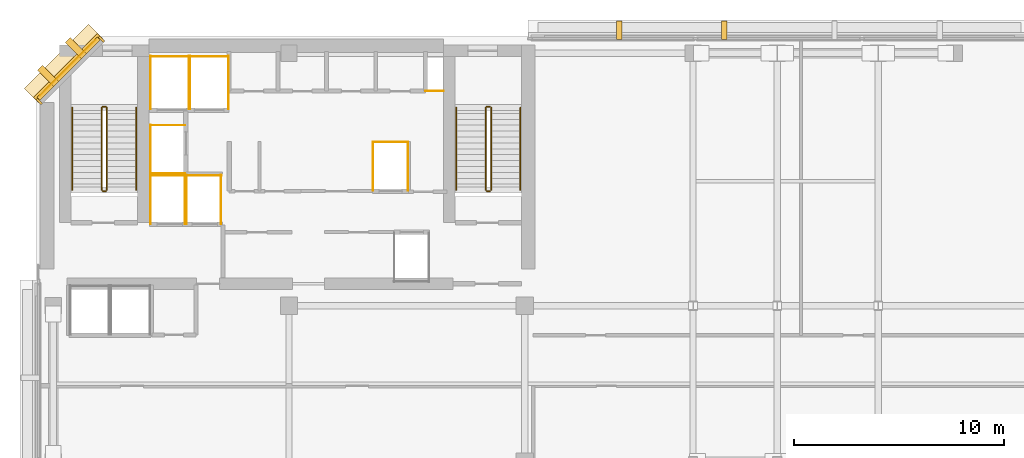
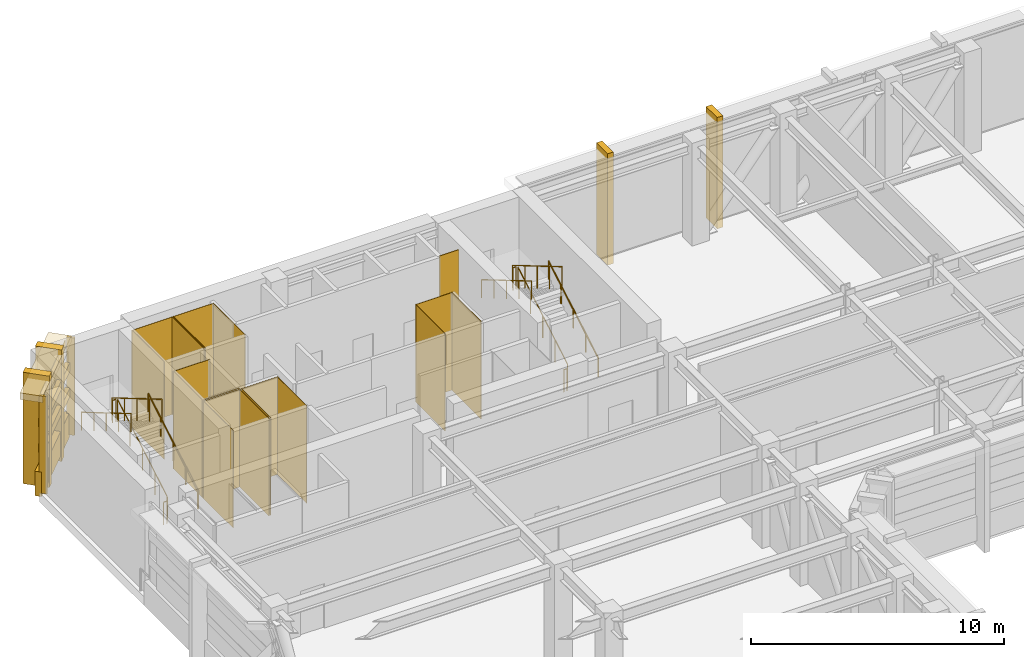
# One storey, part 10 of 11: 30 coverings, 12 railings.
"""IFC4 building model written with IfcOpenShell, lengths in metres."""

import ifcopenshell
import ifcopenshell.guid

model = None  # the IFC model being written
_history = None  # IfcOwnerHistory: only IFC2X3 demands one
_inside = {}  # id of a spatial element -> (the spatial element, [elements in it])
_under = {}  # id of a project, library or spatial element -> (it, [spatial elements below it])
_declared = {}  # id of a project -> (the project, [libraries it declares])
_typed = {}  # id of a type object -> (the type object, [elements of that type])
_made_of = {}  # id of a material, layer set ... -> (it, [elements and type objects made of it])


def new_model(schema):
    """Start an empty IFC model of exactly this schema.

    Asked for "IFC4X3", IfcOpenShell would pick the latest addendum, in which some entities
    have other attributes; the version numbers below select the first issue.
    IFC2X3 requires an IfcOwnerHistory on every rooted entity: one is made here for all.
    """
    global model, _history
    if schema == "IFC4X3":
        model = ifcopenshell.file(schema_version=(4, 3, 0, 0))
    else:
        model = ifcopenshell.file(schema=schema)
    _inside.clear()
    _under.clear()
    _declared.clear()
    _typed.clear()
    _made_of.clear()
    _history = None
    if model.schema == "IFC2X3":
        org = make("IfcOrganization", Name="unknown")
        user = make(
            "IfcPersonAndOrganization",
            ThePerson=make("IfcPerson", FamilyName="unknown"),
            TheOrganization=org,
        )
        app = make(
            "IfcApplication",
            ApplicationDeveloper=org,
            Version="unknown",
            ApplicationFullName="unknown",
            ApplicationIdentifier="unknown",
        )
        _history = make(
            "IfcOwnerHistory",
            OwningUser=user,
            OwningApplication=app,
            ChangeAction="ADDED",
            CreationDate=0,
        )
    return model


def make(cls, **values):
    """One entity of the class cls with the attributes given. An attribute that is None is left unset."""
    return model.create_entity(
        cls, **{name: value for name, value in values.items() if value is not None}
    )


def rooted(cls, **values):
    """An entity with a GlobalId (a new one), such as an element, a storey or a relation."""
    return make(cls, GlobalId=ifcopenshell.guid.new(), OwnerHistory=_history, **values)


def si_unit(unit_type, name, prefix=None):
    """IfcSIUnit, for example si_unit("LENGTHUNIT", "METRE", prefix="MILLI")."""
    return make("IfcSIUnit", UnitType=unit_type, Prefix=prefix, Name=name)


def assignment(units):
    """IfcUnitAssignment: the units of a project."""
    return None if units is None else make("IfcUnitAssignment", Units=units)


def point(xyz):
    """IfcCartesianPoint."""
    return None if xyz is None else make("IfcCartesianPoint", Coordinates=xyz)


def direction(xyz):
    """IfcDirection."""
    return None if xyz is None else make("IfcDirection", DirectionRatios=xyz)


def frame(location, z_axis=None, x_axis=None):
    """IfcAxis2Placement3D, a coordinate frame: its origin and axes. An axis left out is left unset."""
    return make(
        "IfcAxis2Placement3D",
        Location=point(location),
        Axis=direction(z_axis),
        RefDirection=direction(x_axis),
    )


def frame_2d(location, x_axis=None):
    """IfcAxis2Placement2D, a coordinate frame in the plane: its origin and x axis."""
    return make(
        "IfcAxis2Placement2D", Location=point(location), RefDirection=direction(x_axis)
    )


def origin():
    """The frame at (0, 0, 0) with its axes left unset."""
    return frame((0.0, 0.0, 0.0))


def origin_2d():
    """The frame at (0, 0) in the plane with its x axis left unset."""
    return frame_2d((0.0, 0.0))


def place(relative_to, where):
    """IfcLocalPlacement: puts the frame where relative to a parent placement (None: the world)."""
    return make(
        "IfcLocalPlacement", PlacementRelTo=relative_to, RelativePlacement=where
    )


def context(
    kind, dimensions, precision=None, world=None, true_north=None, identifier=None
):
    """IfcGeometricRepresentationContext, for example the 3D "Model" context."""
    return make(
        "IfcGeometricRepresentationContext",
        ContextIdentifier=identifier,
        ContextType=kind,
        CoordinateSpaceDimension=dimensions,
        Precision=precision,
        WorldCoordinateSystem=world,
        TrueNorth=true_north,
    )


def subcontext(parent, identifier, kind, view, scale=None):
    """IfcGeometricRepresentationSubContext, for example "Body" below "Model"."""
    return make(
        "IfcGeometricRepresentationSubContext",
        ContextIdentifier=identifier,
        ContextType=kind,
        ParentContext=parent,
        TargetScale=scale,
        TargetView=view,
    )


def project(units=None, contexts=None):
    """IfcProject with its units and contexts."""
    return rooted(
        "IfcProject",
        Name="project",
        RepresentationContexts=contexts,
        UnitsInContext=assignment(units),
    )


def spatial(cls, under=None, at=None, **own):
    """A site, building, storey or space (cls), placed at a placement, below another one or the project."""
    s = rooted(cls, ObjectPlacement=at, **own)
    if under is not None:
        _under.setdefault(under.id(), (under, []))[1].append(s)
    return s


def polyline(points):
    """IfcPolyline through the points."""
    return make("IfcPolyline", Points=[point(p) for p in points])


def profile(cls, at=None, kind="AREA", **sizes):
    """A parametric profile (cls). Its sizes go by their IFC names, for example OverallWidth=200.0."""
    return make(cls, ProfileType=kind, Position=at, **sizes)


def rectangle(**sizes):
    """IfcRectangleProfileDef."""
    return profile("IfcRectangleProfileDef", **sizes)


def circle(**sizes):
    """IfcCircleProfileDef."""
    return profile("IfcCircleProfileDef", **sizes)


def outline(outer, holes=None, kind="AREA"):
    """IfcArbitraryClosedProfileDef: a profile drawn as a closed curve; with holes, ...WithVoids."""
    if holes is None:
        return make("IfcArbitraryClosedProfileDef", ProfileType=kind, OuterCurve=outer)
    return make(
        "IfcArbitraryProfileDefWithVoids",
        ProfileType=kind,
        OuterCurve=outer,
        InnerCurves=holes,
    )


def extrude(swept, where, along, depth):
    """IfcExtrudedAreaSolid: the profile swept, set in the frame where, extruded along a direction by depth."""
    return make(
        "IfcExtrudedAreaSolid",
        SweptArea=swept,
        Position=where,
        ExtrudedDirection=direction(along),
        Depth=depth,
    )


def shape(context_of_items, identifier, shape_type, items):
    """IfcShapeRepresentation: the items that make up one representation, for example the "Body"."""
    return make(
        "IfcShapeRepresentation",
        ContextOfItems=context_of_items,
        RepresentationIdentifier=identifier,
        RepresentationType=shape_type,
        Items=items,
    )


def material(Name=None, Category=None):
    """IfcMaterial."""
    return make("IfcMaterial", Name=Name, Category=Category)


def layer(
    of_material, thickness, ventilated=None, Name=None, Category=None, Priority=None
):
    """IfcMaterialLayer: one layer of a wall or slab, of a material (None: an air gap)."""
    return make(
        "IfcMaterialLayer",
        Material=of_material,
        LayerThickness=thickness,
        IsVentilated=ventilated,
        Name=Name,
        Category=Category,
        Priority=Priority,
    )


def layer_set(layers, Name=None):
    """IfcMaterialLayerSet."""
    return make("IfcMaterialLayerSet", MaterialLayers=layers, LayerSetName=Name)


def made_of(thing, what):
    """Note that an element or type object is made of a material, layer set ...; save() writes the relation."""
    if what is not None:
        _made_of.setdefault(what.id(), (what, []))[1].append(thing)
    return thing


def type_object(cls, material=None, **own):
    """A type object (cls), such as IfcWallType, which elements share."""
    return made_of(rooted(cls, **own), material)


def element(
    cls,
    number,
    at=None,
    inside=None,
    cuts=None,
    type_object=None,
    material=None,
    context=None,
    identifier="Body",
    shape_type=None,
    held_by="IfcProductDefinitionShape",
    body=None,
    shapes=None,
    **own,
):
    """One element of the class cls, such as IfcWall. Its Tag is "e" and its number.

    at: its placement. inside: the storey or other place that contains it. cuts: it is an
    opening in that element (IfcRelVoidsElement). A single representation is given by context,
    identifier, shape_type and body (its items); several are given by shapes. held_by: the class
    of the entity that holds the representations. save() writes the other relations.
    """
    e = rooted(cls, Tag="e%d" % number, ObjectPlacement=at, **own)
    if body is not None:
        shapes = [shape(context, identifier, shape_type, body)]
    if shapes is not None:
        e.Representation = make(held_by, Representations=shapes)
    if inside is not None:
        _inside.setdefault(inside.id(), (inside, []))[1].append(e)
    if cuts is not None:
        rooted(
            "IfcRelVoidsElement", RelatingBuildingElement=cuts, RelatedOpeningElement=e
        )
    if type_object is not None:
        _typed.setdefault(type_object.id(), (type_object, []))[1].append(e)
    return made_of(e, material)


def aggregate(whole, parts):
    """IfcRelAggregates: a whole, such as a stair, and the parts it consists of."""
    return rooted("IfcRelAggregates", RelatingObject=whole, RelatedObjects=parts)


def save(model, path):
    """Write the relations noted so far, then the file.

    IfcRelAggregates (storeys below a building ...), IfcRelContainedInSpatialStructure (elements
    in a storey), IfcRelDefinesByType, IfcRelAssociatesMaterial and IfcRelDeclares: one each for
    every whole, place, type object, material and project.
    """
    for whole, parts in _under.values():
        aggregate(whole, parts)
    for where, things in _inside.values():
        rooted(
            "IfcRelContainedInSpatialStructure",
            RelatedElements=things,
            RelatingStructure=where,
        )
    for kind, things in _typed.values():
        rooted("IfcRelDefinesByType", RelatedObjects=things, RelatingType=kind)
    for what, things in _made_of.values():
        rooted("IfcRelAssociatesMaterial", RelatedObjects=things, RelatingMaterial=what)
    for by, libraries in _declared.values():
        rooted("IfcRelDeclares", RelatingContext=by, RelatedDefinitions=libraries)
    model.write(path)


model = new_model("IFC4")

# Units and contexts
model_context = context("Model", 3, precision=1e-05, world=origin(), true_north=direction((0.0, 1.0)))
body_context = subcontext(model_context, "Body", "Model", "MODEL_VIEW")
ifc_project = project(units=[si_unit("LENGTHUNIT", "METRE"), si_unit("AREAUNIT", "SQUARE_METRE"), si_unit("VOLUMEUNIT", "CUBIC_METRE"), si_unit("PLANEANGLEUNIT", "RADIAN"), si_unit("MASSUNIT", "GRAM", prefix="KILO")], contexts=[model_context])

# Site, building, storey
site_placement = place(None, origin())
site = spatial("IfcSite", under=ifc_project, at=site_placement, CompositionType="ELEMENT")
building_placement = place(site_placement, origin())
building = spatial("IfcBuilding", under=site, at=building_placement, Name="Kefirva Bronze Tower", CompositionType="ELEMENT")
storey_placement = place(building_placement, frame((0.0, 0.0, 251.4599609375)))
storey = spatial("IfcBuildingStorey", under=building, at=storey_placement, Name="L61", CompositionType="ELEMENT", Elevation=251.4599609375)

# Coverings
ifc_material_1 = material(Name="Bronze anodised aluminium", Category="aluminium")
ifc_layer_1 = layer(ifc_material_1, 0.02001953125, Name="Bronze anodised aluminium")
ifc_layer_set_1 = layer_set([ifc_layer_1], Name="Bronze anodised aluminium")
covering_type_1 = type_object("IfcCoveringType", Name="Anodised Bronze Spandrel Cladding 20mm", PredefinedType="CLADDING", material=ifc_layer_set_1)
covering_1_placement = place(storey_placement, frame((1.492919921875, 44.507080078125, 4.280029296875), z_axis=(0.0, 0.0, 1.0), x_axis=(-0.707106781187, -0.707106781187, 0.0)))
element("IfcCovering", 1, at=covering_1_placement, inside=storey, type_object=covering_type_1, Name="L61 Bronze Spandrel Cladding 6", PredefinedType="CLADDING", context=body_context, shape_type="SweptSolid", body=[
    extrude(rectangle(XDim=3.719482421875, YDim=0.02001953125, at=origin_2d()), origin(), (0.0, 0.0, 1.0), 0.39990234375),
])
for number, where, z_axis, x_axis, name in (
    (2, (3.08837890625, 45.862060546875, 0.0), (0.0, 0.0, 1.0), (-0.707106781187, -0.707106781187, 0.0), "L61 Facade Joint Closure Panel 6S"),
    (3, (0.137939453125, 42.91162109375, 0.0), (0.0, 0.0, 1.0), (-0.707106781187, -0.707106781187, 0.0), "L61 Facade Joint Closure Panel 6E"),
):
    element("IfcCovering", number, at=place(storey_placement, frame(where, z_axis=z_axis, x_axis=x_axis)), inside=storey, type_object=covering_type_1, Name=name, PredefinedType="CLADDING", context=body_context, shape_type="SweptSolid", body=[
        extrude(rectangle(XDim=0.10009765625, YDim=0.320068359375, at=origin_2d()), origin(), (0.0, 0.0, 1.0), 4.699951171875),
    ])
covering_2_placement = place(storey_placement, frame((1.4716796875, 44.5283203125, -0.16015625), z_axis=(0.0, 0.0, 1.0), x_axis=(-0.707106781187, -0.707106781187, 0.0)))
element("IfcCovering", 4, at=covering_2_placement, inside=storey, type_object=covering_type_1, Name="L61 Streamline Horizontal Spandrel Band 9", PredefinedType="CLADDING", context=body_context, shape_type="SweptSolid", body=[
    extrude(rectangle(XDim=4.28271484375, YDim=0.280029296875, at=origin_2d()), origin(), (0.0, 0.0, 1.0), 1.179931640625),
])
for number, where, z_axis, x_axis, name in (
    (5, (1.5283203125, 44.4716796875, 1.858154296875), (0.0, 0.0, 1.0), (-0.707106781187, -0.707106781187, 0.0), "L61 Recessed Zone-Break Bronze Louvre Band 9-1"),
    (6, (1.5283203125, 44.4716796875, 3.080078125), (0.0, 0.0, 1.0), (-0.707106781187, -0.707106781187, 0.0), "L61 Recessed Zone-Break Bronze Louvre Band 9-2"),
):
    element("IfcCovering", number, at=place(storey_placement, frame(where, z_axis=z_axis, x_axis=x_axis)), inside=storey, type_object=covering_type_1, Name=name, PredefinedType="CLADDING", context=body_context, shape_type="SweptSolid", body=[
        extrude(rectangle(XDim=4.04248046875, YDim=0.199951171875, at=origin_2d()), origin(), (0.0, 0.0, 1.0), 0.419921875),
    ])
covering_3_placement = place(storey_placement, origin())
element("IfcCovering", 7, at=covering_3_placement, inside=storey, type_object=covering_type_1, Name="L61 Lift FF1 Hoistway Liner N", PredefinedType="CLADDING", context=body_context, shape_type="SweptSolid", body=[
    extrude(outline(polyline([(5.39990234375, 39.389892578125), (7.080078125, 39.389892578125), (7.080078125, 39.409912109375), (5.39990234375, 39.409912109375), (5.39990234375, 39.389892578125)])), origin(), (0.0, 0.0, 1.0), 4.699951171875),
])
covering_4_placement = place(storey_placement, origin())
element("IfcCovering", 8, at=covering_4_placement, inside=storey, type_object=covering_type_1, Name="L61 Lift FF1 Hoistway Liner W", PredefinedType="CLADDING", context=body_context, shape_type="SweptSolid", body=[
    extrude(outline(polyline([(5.409912109375, 37.080078125), (5.429931640625, 37.080078125), (5.429931640625, 39.419921875), (5.409912109375, 39.419921875), (5.409912109375, 37.080078125)])), origin(), (0.0, 0.0, 1.0), 4.699951171875),
])
covering_5_placement = place(storey_placement, origin())
element("IfcCovering", 9, at=covering_5_placement, inside=storey, type_object=covering_type_1, Name="L61 Lift FF1 Hoistway Liner E", PredefinedType="CLADDING", context=body_context, shape_type="SweptSolid", body=[
    extrude(outline(polyline([(7.050048828125, 37.080078125), (7.070068359375, 37.080078125), (7.070068359375, 39.419921875), (7.050048828125, 39.419921875), (7.050048828125, 37.080078125)])), origin(), (0.0, 0.0, 1.0), 4.699951171875),
])
covering_6_placement = place(storey_placement, origin())
element("IfcCovering", 10, at=covering_6_placement, inside=storey, type_object=covering_type_1, Name="L61 Lift FF2 Hoistway Liner N", PredefinedType="CLADDING", context=body_context, shape_type="SweptSolid", body=[
    extrude(outline(polyline([(7.1201171875, 39.389892578125), (8.800048828125, 39.389892578125), (8.800048828125, 39.409912109375), (7.1201171875, 39.409912109375), (7.1201171875, 39.389892578125)])), origin(), (0.0, 0.0, 1.0), 4.699951171875),
])
covering_7_placement = place(storey_placement, origin())
element("IfcCovering", 11, at=covering_7_placement, inside=storey, type_object=covering_type_1, Name="L61 Lift FF2 Hoistway Liner W", PredefinedType="CLADDING", context=body_context, shape_type="SweptSolid", body=[
    extrude(outline(polyline([(7.1298828125, 37.080078125), (7.14990234375, 37.080078125), (7.14990234375, 39.419921875), (7.1298828125, 39.419921875), (7.1298828125, 37.080078125)])), origin(), (0.0, 0.0, 1.0), 4.699951171875),
])
covering_8_placement = place(storey_placement, origin())
element("IfcCovering", 12, at=covering_8_placement, inside=storey, type_object=covering_type_1, Name="L61 Lift FF2 Hoistway Liner E", PredefinedType="CLADDING", context=body_context, shape_type="SweptSolid", body=[
    extrude(outline(polyline([(8.77001953125, 37.080078125), (8.7900390625, 37.080078125), (8.7900390625, 39.419921875), (8.77001953125, 39.419921875), (8.77001953125, 37.080078125)])), origin(), (0.0, 0.0, 1.0), 4.699951171875),
])
covering_9_placement = place(storey_placement, origin())
element("IfcCovering", 13, at=covering_9_placement, inside=storey, type_object=covering_type_1, Name="L61 Lift SV1 Hoistway Liner N", PredefinedType="CLADDING", context=body_context, shape_type="SweptSolid", body=[
    extrude(outline(polyline([(5.39990234375, 45.0400390625), (7.260009765625, 45.0400390625), (7.260009765625, 45.06005859375), (5.39990234375, 45.06005859375), (5.39990234375, 45.0400390625)])), origin(), (0.0, 0.0, 1.0), 4.699951171875),
])
covering_10_placement = place(storey_placement, origin())
element("IfcCovering", 14, at=covering_10_placement, inside=storey, type_object=covering_type_1, Name="L61 Lift SV1 Hoistway Liner W", PredefinedType="CLADDING", context=body_context, shape_type="SweptSolid", body=[
    extrude(outline(polyline([(5.409912109375, 42.530029296875), (5.429931640625, 42.530029296875), (5.429931640625, 45.070068359375), (5.409912109375, 45.070068359375), (5.409912109375, 42.530029296875)])), origin(), (0.0, 0.0, 1.0), 4.699951171875),
])
covering_11_placement = place(storey_placement, origin())
element("IfcCovering", 15, at=covering_11_placement, inside=storey, type_object=covering_type_1, Name="L61 Lift SV1 Hoistway Liner E", PredefinedType="CLADDING", context=body_context, shape_type="SweptSolid", body=[
    extrude(outline(polyline([(7.22998046875, 42.530029296875), (7.25, 42.530029296875), (7.25, 45.070068359375), (7.22998046875, 45.070068359375), (7.22998046875, 42.530029296875)])), origin(), (0.0, 0.0, 1.0), 4.699951171875),
])
covering_12_placement = place(storey_placement, origin())
element("IfcCovering", 16, at=covering_12_placement, inside=storey, type_object=covering_type_1, Name="L61 Lift SV2 Hoistway Liner N", PredefinedType="CLADDING", context=body_context, shape_type="SweptSolid", body=[
    extrude(outline(polyline([(7.280029296875, 45.0400390625), (9.139892578125, 45.0400390625), (9.139892578125, 45.06005859375), (7.280029296875, 45.06005859375), (7.280029296875, 45.0400390625)])), origin(), (0.0, 0.0, 1.0), 4.699951171875),
])
covering_13_placement = place(storey_placement, origin())
element("IfcCovering", 17, at=covering_13_placement, inside=storey, type_object=covering_type_1, Name="L61 Lift SV2 Hoistway Liner W", PredefinedType="CLADDING", context=body_context, shape_type="SweptSolid", body=[
    extrude(outline(polyline([(7.2900390625, 42.530029296875), (7.31005859375, 42.530029296875), (7.31005859375, 45.070068359375), (7.2900390625, 45.070068359375), (7.2900390625, 42.530029296875)])), origin(), (0.0, 0.0, 1.0), 4.699951171875),
])
covering_14_placement = place(storey_placement, origin())
element("IfcCovering", 18, at=covering_14_placement, inside=storey, type_object=covering_type_1, Name="L61 Lift SV2 Hoistway Liner E", PredefinedType="CLADDING", context=body_context, shape_type="SweptSolid", body=[
    extrude(outline(polyline([(9.110107421875, 42.530029296875), (9.1298828125, 42.530029296875), (9.1298828125, 45.070068359375), (9.110107421875, 45.070068359375), (9.110107421875, 42.530029296875)])), origin(), (0.0, 0.0, 1.0), 4.699951171875),
])
covering_15_placement = place(storey_placement, origin())
element("IfcCovering", 19, at=covering_15_placement, inside=storey, type_object=covering_type_1, Name="L61 Lift HP2 Hoistway Liner N", PredefinedType="CLADDING", context=body_context, shape_type="SweptSolid", body=[
    extrude(outline(polyline([(15.97998046875, 40.969970703125), (17.669921875, 40.969970703125), (17.669921875, 40.989990234375), (15.97998046875, 40.989990234375), (15.97998046875, 40.969970703125)])), origin(), (0.0, 0.0, 1.0), 4.699951171875),
])
covering_16_placement = place(storey_placement, origin())
element("IfcCovering", 20, at=covering_16_placement, inside=storey, type_object=covering_type_1, Name="L61 Lift HP2 Hoistway Liner W", PredefinedType="CLADDING", context=body_context, shape_type="SweptSolid", body=[
    extrude(outline(polyline([(15.989990234375, 38.659912109375), (16.010009765625, 38.659912109375), (16.010009765625, 41.0), (15.989990234375, 41.0), (15.989990234375, 38.659912109375)])), origin(), (0.0, 0.0, 1.0), 4.699951171875),
])
covering_17_placement = place(storey_placement, origin())
element("IfcCovering", 21, at=covering_17_placement, inside=storey, type_object=covering_type_1, Name="L61 Lift HP2 Hoistway Liner E", PredefinedType="CLADDING", context=body_context, shape_type="SweptSolid", body=[
    extrude(outline(polyline([(17.639892578125, 38.659912109375), (17.659912109375, 38.659912109375), (17.659912109375, 41.0), (17.639892578125, 41.0), (17.639892578125, 38.659912109375)])), origin(), (0.0, 0.0, 1.0), 4.699951171875),
])
covering_18_placement = place(storey_placement, origin())
element("IfcCovering", 22, at=covering_18_placement, inside=storey, type_object=covering_type_1, Name="L61 Lift HP3 Hoistway Liner N", PredefinedType="CLADDING", context=body_context, shape_type="SweptSolid", body=[
    extrude(outline(polyline([(5.39990234375, 41.77001953125), (7.080078125, 41.77001953125), (7.080078125, 41.7900390625), (5.39990234375, 41.7900390625), (5.39990234375, 41.77001953125)])), origin(), (0.0, 0.0, 1.0), 4.699951171875),
])
covering_19_placement = place(storey_placement, origin())
element("IfcCovering", 23, at=covering_19_placement, inside=storey, type_object=covering_type_1, Name="L61 Lift HP3 Hoistway Liner S", PredefinedType="CLADDING", context=body_context, shape_type="SweptSolid", body=[
    extrude(outline(polyline([(5.39990234375, 39.469970703125), (7.080078125, 39.469970703125), (7.080078125, 39.489990234375), (5.39990234375, 39.489990234375), (5.39990234375, 39.469970703125)])), origin(), (0.0, 0.0, 1.0), 4.699951171875),
])
covering_20_placement = place(storey_placement, origin())
element("IfcCovering", 24, at=covering_20_placement, inside=storey, type_object=covering_type_1, Name="L61 Lift HP3 Hoistway Liner W", PredefinedType="CLADDING", context=body_context, shape_type="SweptSolid", body=[
    extrude(outline(polyline([(5.409912109375, 39.4599609375), (5.429931640625, 39.4599609375), (5.429931640625, 41.800048828125), (5.409912109375, 41.800048828125), (5.409912109375, 39.4599609375)])), origin(), (0.0, 0.0, 1.0), 4.699951171875),
])
covering_21_placement = place(storey_placement, origin())
element("IfcCovering", 25, at=covering_21_placement, inside=storey, type_object=covering_type_1, Name="L61 Core MEP Riser Shaft Liner South", PredefinedType="CLADDING", context=body_context, shape_type="SweptSolid", body=[
    extrude(outline(polyline([(18.47998046875, 43.39990234375), (19.360107421875, 43.39990234375), (19.360107421875, 43.429931640625), (18.47998046875, 43.429931640625), (18.47998046875, 43.39990234375)])), origin(), (0.0, 0.0, 1.0), 4.699951171875),
])

# Railings
ifc_material_2 = material(Name="Stainless steel 316", Category="steel")
railing_type_1 = type_object("IfcRailingType", Name="Interior Stair Guardrail 1100mm", PredefinedType="GUARDRAIL", material=ifc_material_2)
railing_1_placement = place(storey_placement, frame((3.35009765625, 38.699951171875, 0.1650390625)))
element("IfcRailing", 26, at=railing_1_placement, inside=storey, type_object=railing_type_1, Name="L61 ST-1 stair guard 1", PredefinedType="GUARDRAIL", context=body_context, shape_type="SweptSolid", body=[
    extrude(circle(Radius=0.02392578125, at=origin_2d()), frame((0.0, 0.0, 1.076171875), z_axis=(0.0, 0.861542233256, 0.507685907148), x_axis=(-1.0, 0.0, 0.0)), (0.0, 0.0, 1.0), 4.55029296875),
    extrude(circle(Radius=0.02099609375, at=origin_2d()), origin(), (0.0, 0.0, 1.0), 1.052001953125),
    extrude(circle(Radius=0.02099609375, at=origin_2d()), frame((0.0, 0.97998046875, 0.57763671875)), (0.0, 0.0, 1.0), 1.052001953125),
    extrude(circle(Radius=0.02099609375, at=origin_2d()), frame((0.0, 1.9599609375, 1.155029296875)), (0.0, 0.0, 1.0), 1.052001953125),
    extrude(circle(Radius=0.02099609375, at=origin_2d()), frame((0.0, 2.940185546875, 1.732421875)), (0.0, 0.0, 1.0), 1.052001953125),
    extrude(circle(Radius=0.02099609375, at=origin_2d()), frame((0.0, 3.920166015625, 2.31005859375)), (0.0, 0.0, 1.0), 1.052001953125),
])
railing_2_placement = place(storey_placement, frame((3.300048828125, 42.669921875, 2.47509765625)))
element("IfcRailing", 27, at=railing_2_placement, inside=storey, type_object=railing_type_1, Name="L61 ST-1 stair guard 2", PredefinedType="GUARDRAIL", context=body_context, shape_type="SweptSolid", body=[
    extrude(circle(Radius=0.02392578125, at=origin_2d()), frame((0.0, 0.0, 1.076171875), z_axis=(-1.0, 0.0, 0.0), x_axis=(0.0, -1.0, 0.0)), (0.0, 0.0, 1.0), 0.150146484375),
    extrude(circle(Radius=0.02099609375, at=origin_2d()), origin(), (0.0, 0.0, 1.0), 1.052001953125),
    extrude(circle(Radius=0.02099609375, at=origin_2d()), frame((-0.150146484375, 0.0, 0.0)), (0.0, 0.0, 1.0), 1.052001953125),
])
railing_3_placement = place(storey_placement, frame((3.10009765625, 42.6201171875, 2.64013671875)))
element("IfcRailing", 28, at=railing_3_placement, inside=storey, type_object=railing_type_1, Name="L61 ST-1 stair guard 3", PredefinedType="GUARDRAIL", context=body_context, shape_type="SweptSolid", body=[
    extrude(circle(Radius=0.02392578125, at=origin_2d()), frame((0.0, 0.0, 1.076171875), z_axis=(0.0, -0.861565701394, 0.507646079647), x_axis=(1.0, 0.0, 0.0)), (0.0, 0.0, 1.0), 4.550048828125),
    extrude(circle(Radius=0.02099609375, at=origin_2d()), origin(), (0.0, 0.0, 1.0), 1.052001953125),
    extrude(circle(Radius=0.02099609375, at=origin_2d()), frame((0.0, -0.97998046875, 0.577392578125)), (0.0, 0.0, 1.0), 1.052001953125),
    extrude(circle(Radius=0.02099609375, at=origin_2d()), frame((0.0, -1.9599609375, 1.15478515625)), (0.0, 0.0, 1.0), 1.052001953125),
    extrude(circle(Radius=0.02099609375, at=origin_2d()), frame((0.0, -2.940185546875, 1.732421875)), (0.0, 0.0, 1.0), 1.052001953125),
    extrude(circle(Radius=0.02099609375, at=origin_2d()), frame((0.0, -3.920166015625, 2.309814453125)), (0.0, 0.0, 1.0), 1.052001953125),
])
railing_4_placement = place(storey_placement, frame((3.300048828125, 38.64990234375, 0.0)))
element("IfcRailing", 29, at=railing_4_placement, inside=storey, type_object=railing_type_1, Name="L61 ST-1 stair guard 4", PredefinedType="GUARDRAIL", context=body_context, shape_type="SweptSolid", body=[
    extrude(circle(Radius=0.02392578125, at=origin_2d()), frame((0.0, 0.0, 1.076171875), z_axis=(-1.0, 0.0, 0.0), x_axis=(0.0, -1.0, 0.0)), (0.0, 0.0, 1.0), 0.150146484375),
    extrude(circle(Radius=0.02099609375, at=origin_2d()), origin(), (0.0, 0.0, 1.0), 1.052001953125),
    extrude(circle(Radius=0.02099609375, at=origin_2d()), frame((-0.150146484375, 0.0, 0.0)), (0.0, 0.0, 1.0), 1.052001953125),
])
railing_5_placement = place(storey_placement, frame((21.60009765625, 38.699951171875, 0.1650390625)))
element("IfcRailing", 30, at=railing_5_placement, inside=storey, type_object=railing_type_1, Name="L61 ST-2 stair guard 1", PredefinedType="GUARDRAIL", context=body_context, shape_type="SweptSolid", body=[
    extrude(circle(Radius=0.02392578125, at=origin_2d()), frame((0.0, 0.0, 1.076171875), z_axis=(0.0, 0.861542233256, 0.507685907148), x_axis=(-1.0, 0.0, 0.0)), (0.0, 0.0, 1.0), 4.55029296875),
    extrude(circle(Radius=0.02099609375, at=origin_2d()), origin(), (0.0, 0.0, 1.0), 1.052001953125),
    extrude(circle(Radius=0.02099609375, at=origin_2d()), frame((0.0, 0.97998046875, 0.57763671875)), (0.0, 0.0, 1.0), 1.052001953125),
    extrude(circle(Radius=0.02099609375, at=origin_2d()), frame((0.0, 1.9599609375, 1.155029296875)), (0.0, 0.0, 1.0), 1.052001953125),
    extrude(circle(Radius=0.02099609375, at=origin_2d()), frame((0.0, 2.940185546875, 1.732421875)), (0.0, 0.0, 1.0), 1.052001953125),
    extrude(circle(Radius=0.02099609375, at=origin_2d()), frame((0.0, 3.920166015625, 2.31005859375)), (0.0, 0.0, 1.0), 1.052001953125),
])
railing_6_placement = place(storey_placement, frame((21.550048828125, 42.669921875, 2.47509765625)))
element("IfcRailing", 31, at=railing_6_placement, inside=storey, type_object=railing_type_1, Name="L61 ST-2 stair guard 2", PredefinedType="GUARDRAIL", context=body_context, shape_type="SweptSolid", body=[
    extrude(circle(Radius=0.02392578125, at=origin_2d()), frame((0.0, 0.0, 1.076171875), z_axis=(-1.0, 0.0, 0.0), x_axis=(0.0, -1.0, 0.0)), (0.0, 0.0, 1.0), 0.150146484375),
    extrude(circle(Radius=0.02099609375, at=origin_2d()), origin(), (0.0, 0.0, 1.0), 1.052001953125),
    extrude(circle(Radius=0.02099609375, at=origin_2d()), frame((-0.150146484375, 0.0, 0.0)), (0.0, 0.0, 1.0), 1.052001953125),
])
railing_7_placement = place(storey_placement, frame((21.35009765625, 42.6201171875, 2.64013671875)))
element("IfcRailing", 32, at=railing_7_placement, inside=storey, type_object=railing_type_1, Name="L61 ST-2 stair guard 3", PredefinedType="GUARDRAIL", context=body_context, shape_type="SweptSolid", body=[
    extrude(circle(Radius=0.02392578125, at=origin_2d()), frame((0.0, 0.0, 1.076171875), z_axis=(0.0, -0.861565701394, 0.507646079647), x_axis=(1.0, 0.0, 0.0)), (0.0, 0.0, 1.0), 4.550048828125),
    extrude(circle(Radius=0.02099609375, at=origin_2d()), origin(), (0.0, 0.0, 1.0), 1.052001953125),
    extrude(circle(Radius=0.02099609375, at=origin_2d()), frame((0.0, -0.97998046875, 0.577392578125)), (0.0, 0.0, 1.0), 1.052001953125),
    extrude(circle(Radius=0.02099609375, at=origin_2d()), frame((0.0, -1.9599609375, 1.15478515625)), (0.0, 0.0, 1.0), 1.052001953125),
    extrude(circle(Radius=0.02099609375, at=origin_2d()), frame((0.0, -2.940185546875, 1.732421875)), (0.0, 0.0, 1.0), 1.052001953125),
    extrude(circle(Radius=0.02099609375, at=origin_2d()), frame((0.0, -3.920166015625, 2.309814453125)), (0.0, 0.0, 1.0), 1.052001953125),
])
railing_8_placement = place(storey_placement, frame((21.550048828125, 38.64990234375, 0.0)))
element("IfcRailing", 33, at=railing_8_placement, inside=storey, type_object=railing_type_1, Name="L61 ST-2 stair guard 4", PredefinedType="GUARDRAIL", context=body_context, shape_type="SweptSolid", body=[
    extrude(circle(Radius=0.02392578125, at=origin_2d()), frame((0.0, 0.0, 1.076171875), z_axis=(-1.0, 0.0, 0.0), x_axis=(0.0, -1.0, 0.0)), (0.0, 0.0, 1.0), 0.150146484375),
    extrude(circle(Radius=0.02099609375, at=origin_2d()), origin(), (0.0, 0.0, 1.0), 1.052001953125),
    extrude(circle(Radius=0.02099609375, at=origin_2d()), frame((-0.150146484375, 0.0, 0.0)), (0.0, 0.0, 1.0), 1.052001953125),
])
railing_type_2 = type_object("IfcRailingType", Name="Stair Pitch Handrail 900mm", PredefinedType="HANDRAIL", material=ifc_material_2)
railing_9_placement = place(storey_placement, frame((4.75, 38.699951171875, 0.1650390625)))
element("IfcRailing", 34, at=railing_9_placement, inside=storey, type_object=railing_type_2, Name="L61 ST-1 stair handrail 1", PredefinedType="HANDRAIL", context=body_context, shape_type="SweptSolid", body=[
    extrude(circle(Radius=0.02392578125, at=origin_2d()), frame((0.0, 0.0, 0.8759765625), z_axis=(0.0, 0.861542233256, 0.507685907148), x_axis=(-1.0, 0.0, 0.0)), (0.0, 0.0, 1.0), 4.55029296875),
    extrude(circle(Radius=0.02099609375, at=origin_2d()), origin(), (0.0, 0.0, 1.0), 0.851806640625),
    extrude(circle(Radius=0.02099609375, at=origin_2d()), frame((0.0, 0.97998046875, 0.57763671875)), (0.0, 0.0, 1.0), 0.851806640625),
    extrude(circle(Radius=0.02099609375, at=origin_2d()), frame((0.0, 1.9599609375, 1.155029296875)), (0.0, 0.0, 1.0), 0.851806640625),
    extrude(circle(Radius=0.02099609375, at=origin_2d()), frame((0.0, 2.940185546875, 1.732421875)), (0.0, 0.0, 1.0), 0.851806640625),
    extrude(circle(Radius=0.02099609375, at=origin_2d()), frame((0.0, 3.920166015625, 2.31005859375)), (0.0, 0.0, 1.0), 0.851806640625),
])
railing_10_placement = place(storey_placement, frame((1.699951171875, 42.6201171875, 2.64013671875)))
element("IfcRailing", 35, at=railing_10_placement, inside=storey, type_object=railing_type_2, Name="L61 ST-1 stair handrail 2", PredefinedType="HANDRAIL", context=body_context, shape_type="SweptSolid", body=[
    extrude(circle(Radius=0.02392578125, at=origin_2d()), frame((0.0, 0.0, 0.8759765625), z_axis=(0.0, -0.861565701394, 0.507646079647), x_axis=(1.0, 0.0, 0.0)), (0.0, 0.0, 1.0), 4.550048828125),
    extrude(circle(Radius=0.02099609375, at=origin_2d()), origin(), (0.0, 0.0, 1.0), 0.851806640625),
    extrude(circle(Radius=0.02099609375, at=origin_2d()), frame((0.0, -0.97998046875, 0.577392578125)), (0.0, 0.0, 1.0), 0.851806640625),
    extrude(circle(Radius=0.02099609375, at=origin_2d()), frame((0.0, -1.9599609375, 1.15478515625)), (0.0, 0.0, 1.0), 0.851806640625),
    extrude(circle(Radius=0.02099609375, at=origin_2d()), frame((0.0, -2.940185546875, 1.732421875)), (0.0, 0.0, 1.0), 0.851806640625),
    extrude(circle(Radius=0.02099609375, at=origin_2d()), frame((0.0, -3.920166015625, 2.309814453125)), (0.0, 0.0, 1.0), 0.851806640625),
])
railing_11_placement = place(storey_placement, frame((23.0, 38.699951171875, 0.1650390625)))
element("IfcRailing", 36, at=railing_11_placement, inside=storey, type_object=railing_type_2, Name="L61 ST-2 stair handrail 1", PredefinedType="HANDRAIL", context=body_context, shape_type="SweptSolid", body=[
    extrude(circle(Radius=0.02392578125, at=origin_2d()), frame((0.0, 0.0, 0.8759765625), z_axis=(0.0, 0.861542233256, 0.507685907148), x_axis=(-1.0, 0.0, 0.0)), (0.0, 0.0, 1.0), 4.55029296875),
    extrude(circle(Radius=0.02099609375, at=origin_2d()), origin(), (0.0, 0.0, 1.0), 0.851806640625),
    extrude(circle(Radius=0.02099609375, at=origin_2d()), frame((0.0, 0.97998046875, 0.57763671875)), (0.0, 0.0, 1.0), 0.851806640625),
    extrude(circle(Radius=0.02099609375, at=origin_2d()), frame((0.0, 1.9599609375, 1.155029296875)), (0.0, 0.0, 1.0), 0.851806640625),
    extrude(circle(Radius=0.02099609375, at=origin_2d()), frame((0.0, 2.940185546875, 1.732421875)), (0.0, 0.0, 1.0), 0.851806640625),
    extrude(circle(Radius=0.02099609375, at=origin_2d()), frame((0.0, 3.920166015625, 2.31005859375)), (0.0, 0.0, 1.0), 0.851806640625),
])
railing_12_placement = place(storey_placement, frame((19.949951171875, 42.6201171875, 2.64013671875)))
element("IfcRailing", 37, at=railing_12_placement, inside=storey, type_object=railing_type_2, Name="L61 ST-2 stair handrail 2", PredefinedType="HANDRAIL", context=body_context, shape_type="SweptSolid", body=[
    extrude(circle(Radius=0.02392578125, at=origin_2d()), frame((0.0, 0.0, 0.8759765625), z_axis=(0.0, -0.861565701394, 0.507646079647), x_axis=(1.0, 0.0, 0.0)), (0.0, 0.0, 1.0), 4.550048828125),
    extrude(circle(Radius=0.02099609375, at=origin_2d()), origin(), (0.0, 0.0, 1.0), 0.851806640625),
    extrude(circle(Radius=0.02099609375, at=origin_2d()), frame((0.0, -0.97998046875, 0.577392578125)), (0.0, 0.0, 1.0), 0.851806640625),
    extrude(circle(Radius=0.02099609375, at=origin_2d()), frame((0.0, -1.9599609375, 1.15478515625)), (0.0, 0.0, 1.0), 0.851806640625),
    extrude(circle(Radius=0.02099609375, at=origin_2d()), frame((0.0, -2.940185546875, 1.732421875)), (0.0, 0.0, 1.0), 0.851806640625),
    extrude(circle(Radius=0.02099609375, at=origin_2d()), frame((0.0, -3.920166015625, 2.309814453125)), (0.0, 0.0, 1.0), 0.851806640625),
])

# Coverings
ifc_layer_2 = layer(ifc_material_1, 0.179931640625, Name="Bronze anodised aluminium")
ifc_layer_set_2 = layer_set([ifc_layer_2], Name="Bronze anodised aluminium")
covering_type_2 = type_object("IfcCoveringType", Name="Streamline Bronze Sunshade Eyebrow Cladding 180mm", PredefinedType="CLADDING", material=ifc_layer_set_2)
covering_22_placement = place(storey_placement, frame((1.28076171875, 44.71923828125, 4.3798828125), z_axis=(0.0, 0.0, 1.0), x_axis=(-0.707106781187, -0.707106781187, 0.0)))
element("IfcCovering", 38, at=covering_22_placement, inside=storey, type_object=covering_type_2, Name="L61 Streamline Bronze Sunshade Eyebrow 9", PredefinedType="CLADDING", context=body_context, shape_type="SweptSolid", body=[
    extrude(rectangle(XDim=4.322509765625, YDim=0.93994140625, at=origin_2d()), origin(), (0.0, 0.0, 1.0), 0.320068359375),
])
ifc_layer_3 = layer(ifc_material_1, 0.260009765625, Name="Bronze anodised aluminium")
ifc_layer_set_3 = layer_set([ifc_layer_3], Name="Bronze anodised aluminium")
covering_type_3 = type_object("IfcCoveringType", Name="Unbroken Bronze Buttress Fin Cladding 260mm", PredefinedType="CLADDING", material=ifc_layer_set_3)
for number, where, z_axis, x_axis, name in (
    (39, (32.68505859375, 46.300048828125, -0.419921875), (0.0, 0.0, 1.0), (-1.0, 0.0, 0.0), "L61 Unbroken Vertical Bronze Rib Fin 19"),
    (40, (27.68798828125, 46.300048828125, -0.419921875), (0.0, 0.0, 1.0), (-1.0, 0.0, 0.0), "L61 Unbroken Vertical Bronze Rib Fin 20"),
):
    element("IfcCovering", number, at=place(storey_placement, frame(where, z_axis=z_axis, x_axis=x_axis)), inside=storey, type_object=covering_type_3, Name=name, PredefinedType="CLADDING", context=body_context, shape_type="SweptSolid", body=[
        extrude(rectangle(XDim=0.260009765625, YDim=0.8798828125, at=origin_2d()), origin(), (0.0, 0.0, 1.0), 5.3701171875),
    ])
for number, where, z_axis, x_axis, name in (
    (41, (1.877197265625, 45.44287109375, -0.419921875), (0.0, 0.0, 1.0), (-0.707106781187, -0.707106781187, 0.0), "L61 Chamfered Corner Buttress Fin Cladding 21"),
    (42, (0.55712890625, 44.122802734375, -0.419921875), (0.0, 0.0, 1.0), (-0.707106781187, -0.707106781187, 0.0), "L61 Chamfered Corner Buttress Fin Cladding 22"),
):
    element("IfcCovering", number, at=place(storey_placement, frame(where, z_axis=z_axis, x_axis=x_axis)), inside=storey, type_object=covering_type_3, Name=name, PredefinedType="CLADDING", context=body_context, shape_type="SweptSolid", body=[
        extrude(rectangle(XDim=0.340087890625, YDim=1.080078125, at=origin_2d()), origin(), (0.0, 0.0, 1.0), 5.3701171875),
    ])

save(model, "model.ifc")
